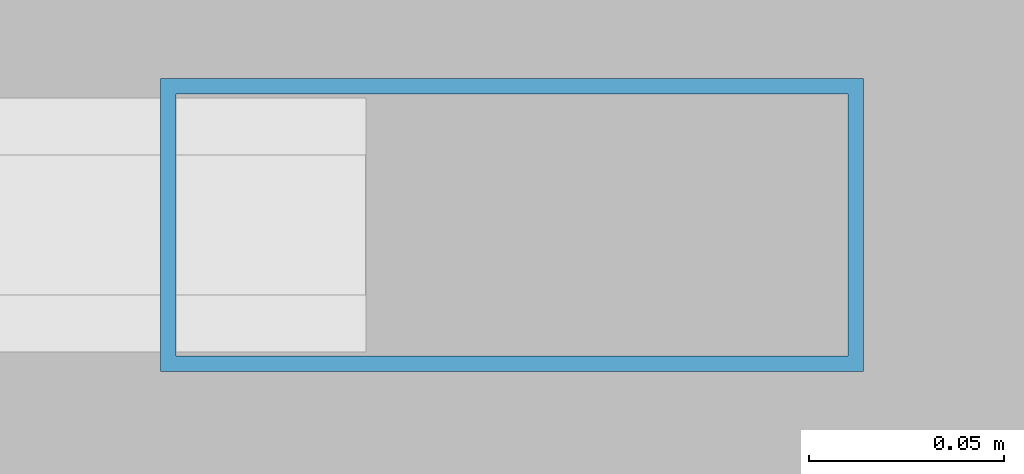
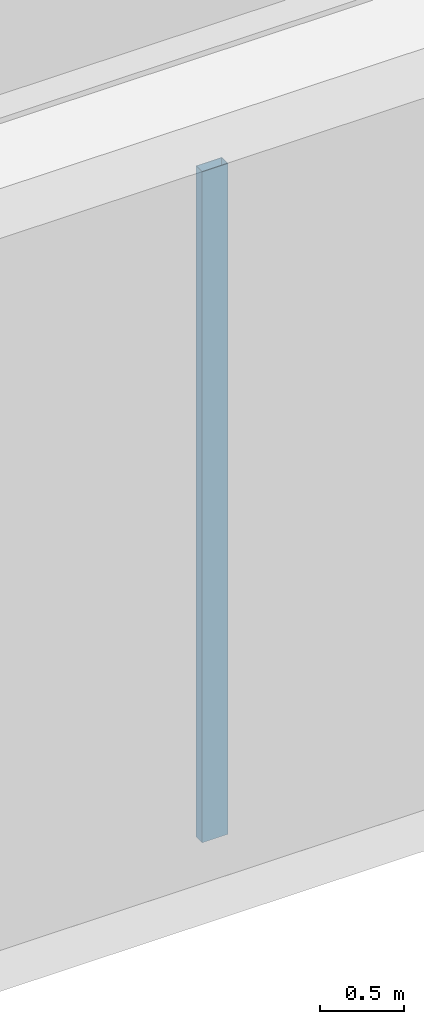
# One storey, part 8 of 34: 1 member, 1 element without a shape of its own.
"""IFC4 building model written with IfcOpenShell, lengths in metres."""

from ifc_helpers import new_model, si_unit, direction, frame, origin, origin_2d, place, context, subcontext, project, spatial, hollow_rectangle, extrude, material, layer, layer_set, material_profile, profile_set, type_object, element, aggregate, save


model = new_model("IFC4")

# Units and contexts
model_context = context("Model", 3, precision=1e-05, world=origin(), true_north=direction((0.0, 1.0)))
body_context = subcontext(model_context, "Body", "Model", "MODEL_VIEW")
ifc_project = project(units=[si_unit("LENGTHUNIT", "METRE"), si_unit("AREAUNIT", "SQUARE_METRE"), si_unit("VOLUMEUNIT", "CUBIC_METRE"), si_unit("PLANEANGLEUNIT", "RADIAN"), si_unit("MASSUNIT", "GRAM", prefix="KILO")], contexts=[model_context])

# Site, building, storey
site_placement = place(None, origin())
site = spatial("IfcSite", under=ifc_project, at=site_placement, CompositionType="ELEMENT")
building_placement = place(site_placement, origin())
building = spatial("IfcBuilding", under=site, at=building_placement, Name="Qiaolan Cultural Towers", CompositionType="ELEMENT")
storey_placement = place(building_placement, frame((0.0, 0.0, 16.5)))
storey = spatial("IfcBuildingStorey", under=building, at=storey_placement, Name="L03", CompositionType="ELEMENT", Elevation=16.5)

# Curtain wall, member
ifc_material_1 = material(Name="Unitized Anodized Aluminium Curtain Wall System", Category="aluminium")
ifc_layer = layer(ifc_material_1, 0.199951171875)
ifc_layer_set = layer_set([ifc_layer], Name="Unitized Anodized Aluminium Curtain Wall System")
curtain_wall_type = type_object("IfcCurtainWallType", Name="CWS-01", PredefinedType="NOTDEFINED", material=ifc_layer_set)
curtain_wall_placement = place(storey_placement, origin())
curtain_wall = element("IfcCurtainWall", 1, at=curtain_wall_placement, inside=storey, type_object=curtain_wall_type, Name="L03 South Atrium Curtain Wall", PredefinedType="NOTDEFINED")
ifc_material_2 = material(Name="Extruded Aluminium 6063-T6", Category="aluminium")
ifc_material_profile = material_profile(ifc_material_2, hollow_rectangle(XDim=0.074951171875, YDim=0.179931640625, WallThickness=0.00390625, at=origin_2d()), Name="CWM-180x75x4")
ifc_profile_set = profile_set([ifc_material_profile], Name="Extruded Aluminium 6063-T6")
member_type = type_object("IfcMemberType", Name="CWS-01-MUL", PredefinedType="MULLION", material=ifc_profile_set)
member_placement = place(storey_placement, frame((61.96240234375, 0.219970703125, 0.14990234375), z_axis=(0.0, 0.0, 1.0), x_axis=(0.0, 1.0, 0.0)))
member = element("IfcMember", 2, at=member_placement, type_object=member_type, Name="CW-1 mullion 5", PredefinedType="MULLION", context=body_context, shape_type="SweptSolid", body=[
    extrude(hollow_rectangle(XDim=0.074951171875, YDim=0.179931640625, WallThickness=0.00390625, at=origin_2d()), origin(), (0.0, 0.0, 1.0), 4.900146484375),
])
aggregate(curtain_wall, [member])

save(model, "model.ifc")
